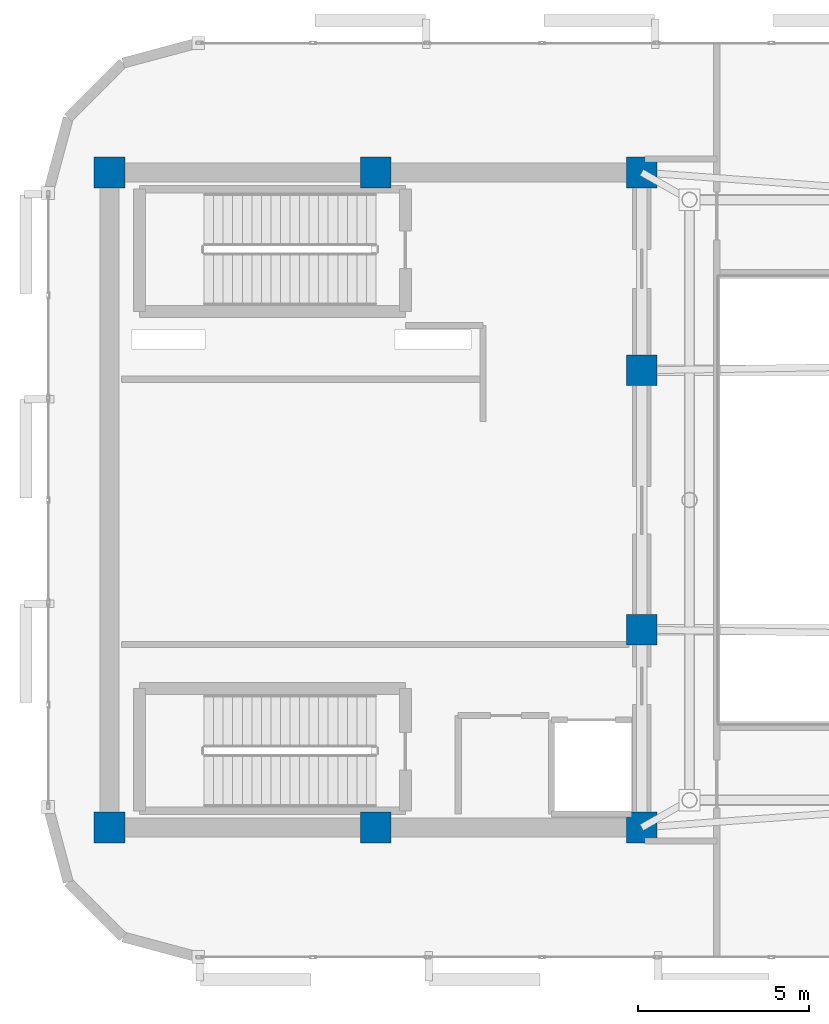
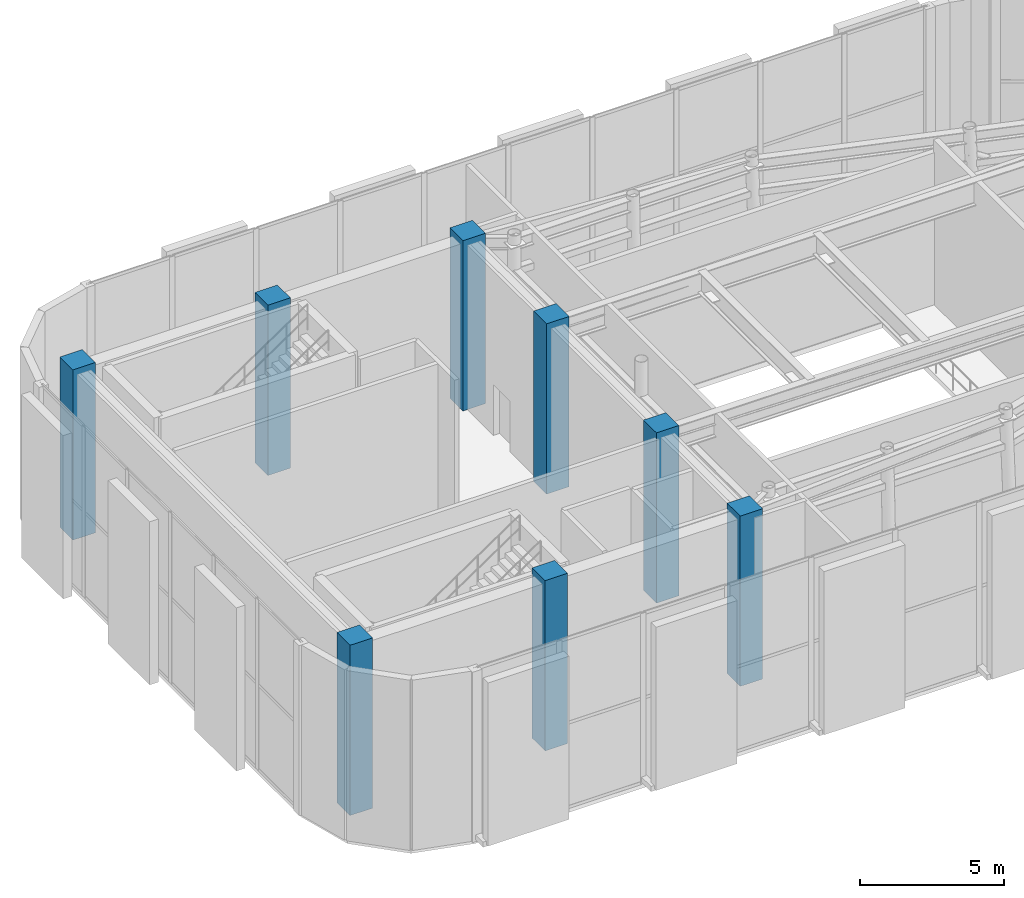
# One storey, part 1 of 20: 8 columns.
"""IFC4 building model written with IfcOpenShell, lengths in metres."""

from ifc_helpers import new_model, si_unit, direction, frame, origin, origin_2d, place, context, subcontext, project, spatial, rectangle, extrude, material, material_profile, profile_set, type_object, element, save


model = new_model("IFC4")

# Units and contexts
model_context = context("Model", 3, precision=1e-05, world=origin(), true_north=direction((0.0, 1.0)))
body_context = subcontext(model_context, "Body", "Model", "MODEL_VIEW")
ifc_project = project(units=[si_unit("LENGTHUNIT", "METRE"), si_unit("AREAUNIT", "SQUARE_METRE"), si_unit("VOLUMEUNIT", "CUBIC_METRE"), si_unit("PLANEANGLEUNIT", "RADIAN"), si_unit("MASSUNIT", "GRAM", prefix="KILO")], contexts=[model_context])

# Site, building, storey
site_placement = place(None, origin())
site = spatial("IfcSite", under=ifc_project, at=site_placement, CompositionType="ELEMENT")
building_placement = place(site_placement, origin())
building = spatial("IfcBuilding", under=site, at=building_placement, Name="An Khanh Terracotta Commons", CompositionType="ELEMENT")
storey_placement = place(building_placement, frame((0.0, 0.0, 308.0)))
storey = spatial("IfcBuildingStorey", under=building, at=storey_placement, Name="L79 Crown Damper Gallery", CompositionType="ELEMENT", Elevation=308.0)

# Columns
ifc_material = material(Name="Concrete C50/60", Category="concrete")
ifc_material_profile = material_profile(ifc_material, rectangle(XDim=0.89990234375, YDim=0.89990234375, at=origin_2d()), Name="RC900x900")
ifc_profile_set = profile_set([ifc_material_profile], Name="Concrete C50/60")
column_type = type_object("IfcColumnType", Name="COL-RC900x900", PredefinedType="COLUMN", material=ifc_profile_set)
for number, where, z_axis, x_axis, name in (
    (1, (21.60009765625, 14.39990234375, 0.0), (0.0, 0.0, 1.0), (1.0, 0.0, 0.0), "L79 Crown Damper Gallery Core Boundary Column CC-01"),
    (2, (29.39990234375, 14.39990234375, 0.0), (0.0, 0.0, 1.0), (1.0, 0.0, 0.0), "L79 Crown Damper Gallery Core Boundary Column CC-02"),
    (3, (37.199951171875, 14.39990234375, 0.0), (0.0, 0.0, 1.0), (1.0, 0.0, 0.0), "L79 Crown Damper Gallery Core Boundary Column CC-03"),
    (4, (37.199951171875, 20.199951171875, 0.0), (0.0, 0.0, 1.0), (1.0, 0.0, 0.0), "L79 Crown Damper Gallery Core Boundary Column CC-04"),
    (5, (37.199951171875, 27.800048828125, 0.0), (0.0, 0.0, 1.0), (1.0, 0.0, 0.0), "L79 Crown Damper Gallery Core Boundary Column CC-05"),
    (6, (37.199951171875, 33.60009765625, 0.0), (0.0, 0.0, 1.0), (1.0, 0.0, 0.0), "L79 Crown Damper Gallery Core Boundary Column CC-06"),
    (7, (29.39990234375, 33.60009765625, 0.0), (0.0, 0.0, 1.0), (1.0, 0.0, 0.0), "L79 Crown Damper Gallery Core Boundary Column CC-07"),
    (8, (21.60009765625, 33.60009765625, 0.0), (0.0, 0.0, 1.0), (1.0, 0.0, 0.0), "L79 Crown Damper Gallery Core Boundary Column CC-08"),
):
    element("IfcColumn", number, at=place(storey_placement, frame(where, z_axis=z_axis, x_axis=x_axis)), inside=storey, type_object=column_type, Name=name, PredefinedType="COLUMN", context=body_context, shape_type="SweptSolid", body=[
        extrude(rectangle(XDim=0.89990234375, YDim=0.89990234375, at=origin_2d()), origin(), (0.0, 0.0, 1.0), 7.199951171875),
    ])

save(model, "model.ifc")
